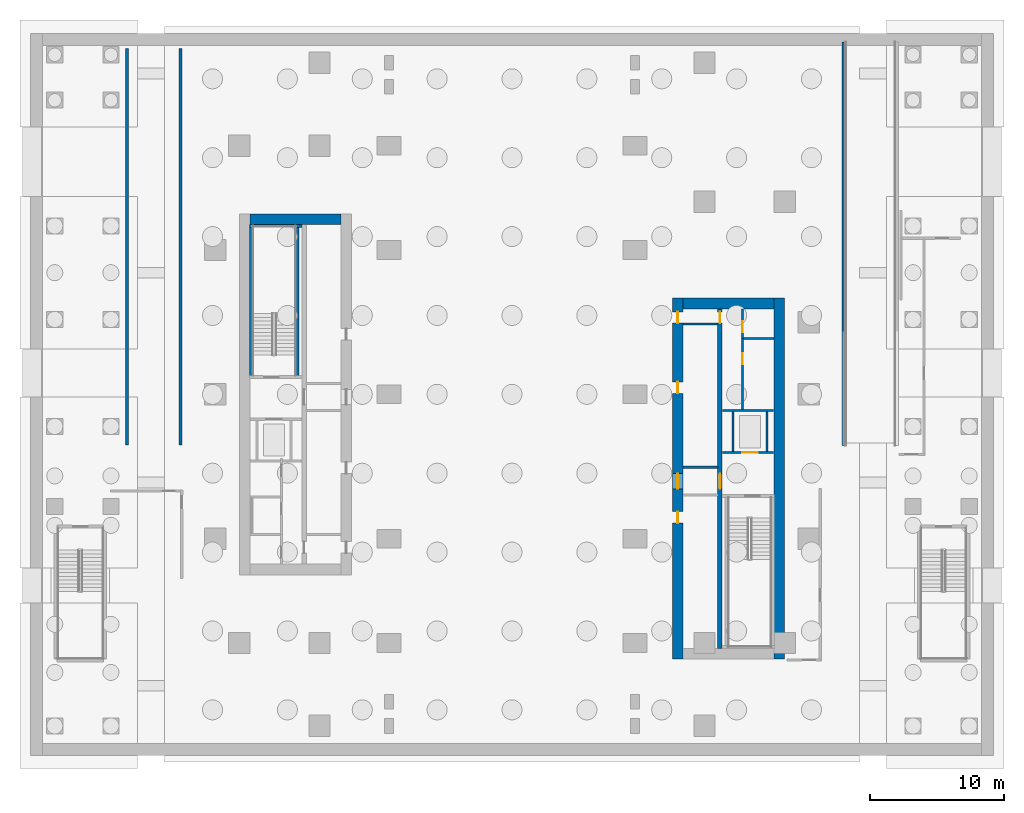
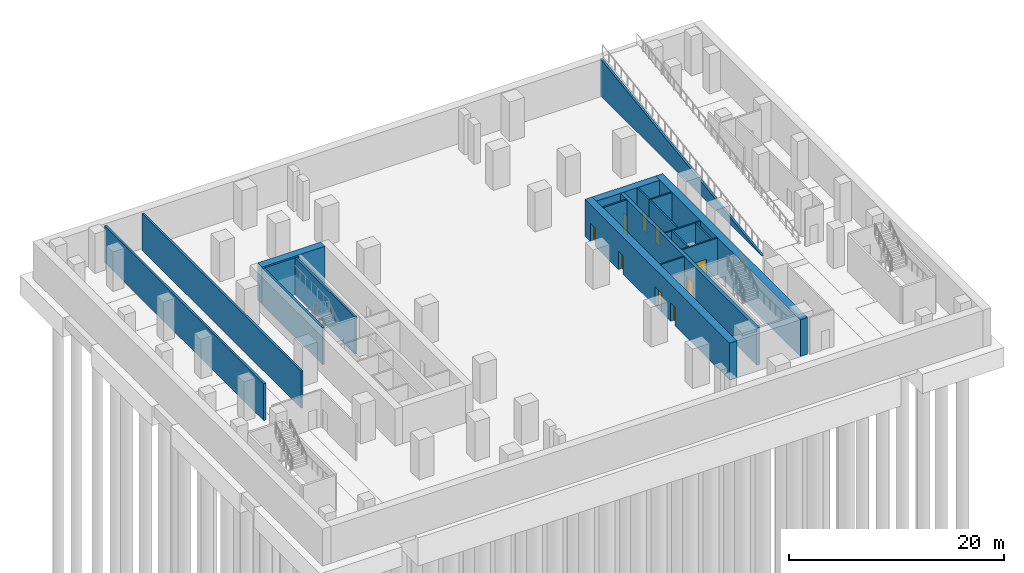
# One storey, part 5 of 15: 20 walls, 9 doors, 9 openings.
"""IFC4 building model written with IfcOpenShell, lengths in metres."""

from ifc_helpers import new_model, si_unit, direction, frame, frame_2d, origin, place, context, subcontext, project, spatial, polyline, rectangle, outline, extrude, material, layer, layer_set, type_object, element, fill, save


model = new_model("IFC4")

# Units and contexts
model_context = context("Model", 3, precision=1e-05, world=origin(), true_north=direction((0.0, 1.0)))
body_context = subcontext(model_context, "Body", "Model", "MODEL_VIEW")
ifc_project = project(units=[si_unit("LENGTHUNIT", "METRE"), si_unit("AREAUNIT", "SQUARE_METRE"), si_unit("VOLUMEUNIT", "CUBIC_METRE"), si_unit("PLANEANGLEUNIT", "RADIAN"), si_unit("MASSUNIT", "GRAM", prefix="KILO")], contexts=[model_context])

# Site, building, storey
site_placement = place(None, origin())
site = spatial("IfcSite", under=ifc_project, at=site_placement, CompositionType="ELEMENT")
building_placement = place(site_placement, origin())
building = spatial("IfcBuilding", under=site, at=building_placement, Name="Khairoan Windgate Tower", CompositionType="ELEMENT")
storey_placement = place(building_placement, frame((0.0, 0.0, -9.0)))
storey = spatial("IfcBuildingStorey", under=building, at=storey_placement, Name="B2", CompositionType="ELEMENT", Elevation=-9.0)

# Wall, opening, door
ifc_material_1 = material(Name="Concrete C40/50", Category="concrete")
ifc_layer_1 = layer(ifc_material_1, 0.159912109375, Name="Concrete C40/50")
ifc_layer_set_1 = layer_set([ifc_layer_1], Name="Concrete C40/50")
wall_type_1 = type_object("IfcWallType", Name="Core and Hoistway Enclosure Wall", PredefinedType="STANDARD", material=ifc_layer_set_1)
wall_1_placement = place(storey_placement, frame((15.75, -4.360107421875, 0.0), z_axis=(0.0, 0.0, 1.0), x_axis=(1.0, 0.0, 0.0)))
wall_1 = element("IfcWall", 1, at=wall_1_placement, inside=storey, type_object=wall_type_1, Name="B2 Core Shaft Wall SW-FL1-B2", PredefinedType="STANDARD", context=body_context, shape_type="SweptSolid", body=[
    extrude(rectangle(XDim=3.800048828125, YDim=0.159912109375, at=frame_2d((1.89990234375, 0.0))), origin(), (0.0, 0.0, 1.0), 4.199951171875),
])
opening_1_placement = place(wall_1_placement, frame((1.469970703125, 0.0, 0.0)))
opening_1 = element("IfcOpeningElement", 2, at=opening_1_placement, cuts=wall_1, Name="Opening LD-FL", PredefinedType="OPENING", context=body_context, shape_type="SweptSolid", body=[
    extrude(rectangle(XDim=1.14990234375, YDim=2.199951171875, at=frame_2d((0.574951171875, 1.10009765625))), frame((0.0, 0.08984375, 0.0), z_axis=(0.0, -1.0, 0.0), x_axis=(1.0, 0.0, 0.0)), (0.0, 0.0, 1.0), 0.179931640625),
])
ifc_material_2 = material(Name="Steel S355", Category="steel")
door_type_1 = type_object("IfcDoorType", Name="Firefighting Lift Sliding Landing Door LD-FL 1150x2200", OperationType="DOUBLE_DOOR_SLIDING", PredefinedType="DOOR", material=ifc_material_2)
door_1_placement = place(opening_1_placement, origin())
door_1 = element("IfcDoor", 3, at=door_1_placement, inside=storey, type_object=door_type_1, Name="B2 Firefighting Lift FL1 Landing Door", OperationType="DOUBLE_DOOR_SLIDING", OverallHeight=2.199951171875, OverallWidth=1.14990234375, PredefinedType="DOOR", context=body_context, shape_type="SweptSolid", body=[
    extrude(rectangle(XDim=1.14990234375, YDim=2.199951171875, at=frame_2d((0.574951171875, 1.10009765625))), frame((0.0, 0.02490234375, 0.0), z_axis=(0.0, -1.0, 0.0), x_axis=(1.0, 0.0, 0.0)), (0.0, 0.0, 1.0), 0.050048828125),
])
fill(opening_1, door_1)

# Walls
wall_2_placement = place(storey_placement, frame((15.75, -1.219970703125, 0.0), z_axis=(0.0, 0.0, 1.0), x_axis=(1.0, 0.0, 0.0)))
element("IfcWall", 4, at=wall_2_placement, inside=storey, type_object=wall_type_1, Name="B2 Core Shaft Wall SW-FL1T-B2", PredefinedType="STANDARD", context=body_context, shape_type="SweptSolid", body=[
    extrude(rectangle(XDim=3.800048828125, YDim=0.159912109375, at=frame_2d((1.89990234375, 0.0))), origin(), (0.0, 0.0, 1.0), 4.199951171875),
])
for number, where, z_axis, x_axis, name in (
    (5, (16.52001953125, -4.280029296875, 0.0), (0.0, 0.0, 1.0), (0.0, 1.0, 0.0), "B2 Core Shaft Wall SW-FL1W-B2"),
    (6, (19.080078125, -4.280029296875, 0.0), (0.0, 0.0, 1.0), (0.0, 1.0, 0.0), "B2 Core Shaft Wall SW-FL1E-B2"),
):
    element("IfcWall", number, at=place(storey_placement, frame(where, z_axis=z_axis, x_axis=x_axis)), inside=storey, type_object=wall_type_1, Name=name, PredefinedType="STANDARD", context=body_context, shape_type="SweptSolid", body=[
        extrude(rectangle(XDim=2.97998046875, YDim=0.159912109375, at=frame_2d((1.489990234375, 0.0))), origin(), (0.0, 0.0, 1.0), 4.199951171875),
    ])
for number, where, z_axis, x_axis, name in (
    (7, (12.800048828125, -5.449951171875, 0.0), (0.0, 0.0, 1.0), (1.0, 0.0, 0.0), "B2 Core Shaft Wall SW-EV1-B2"),
    (8, (12.800048828125, 5.25, 0.0), (0.0, 0.0, 1.0), (1.0, 0.0, 0.0), "B2 Core Shaft Wall SW-ESV-B2"),
):
    element("IfcWall", number, at=place(storey_placement, frame(where, z_axis=z_axis, x_axis=x_axis)), inside=storey, type_object=wall_type_1, Name=name, PredefinedType="STANDARD", context=body_context, shape_type="SweptSolid", body=[
        extrude(rectangle(XDim=2.599853515625, YDim=0.159912109375, at=frame_2d((1.2998046875, 0.0))), origin(), (0.0, 0.0, 1.0), 4.199951171875),
    ])

# Wall, opening, door
ifc_material_3 = material(Name="Concrete C40/50", Category="concrete")
ifc_layer_2 = layer(ifc_material_3, 0.159912109375, Name="Concrete C40/50")
ifc_layer_set_2 = layer_set([ifc_layer_2], Name="Concrete C40/50")
wall_type_2 = type_object("IfcWallType", Name="Plant and Refuge Compartment Wall", PredefinedType="PARTITIONING", material=ifc_layer_set_2)
wall_3_placement = place(storey_placement, frame((17.22998046875, 4.169921875, 0.0), z_axis=(0.0, 0.0, 1.0), x_axis=(0.0, 1.0, 0.0)))
wall_3 = element("IfcWall", 9, at=wall_3_placement, inside=storey, type_object=wall_type_2, Name="B2 Interior Partition 006", PredefinedType="PARTITIONING", context=body_context, shape_type="SweptSolid", body=[
    extrude(rectangle(XDim=2.22998046875, YDim=0.159912109375, at=frame_2d((1.114990234375, 0.0))), origin(), (0.0, 0.0, 1.0), 4.199951171875),
])
opening_2_placement = place(wall_3_placement, frame((0.4599609375, 0.0, 0.0)))
opening_2 = element("IfcOpeningElement", 10, at=opening_2_placement, cuts=wall_3, Name="Opening FD-SRV", PredefinedType="OPENING", context=body_context, shape_type="SweptSolid", body=[
    extrude(rectangle(XDim=0.85009765625, YDim=2.10009765625, at=frame_2d((0.425048828125, 1.050048828125))), frame((0.0, 0.08984375, 0.0), z_axis=(0.0, -1.0, 0.0), x_axis=(1.0, 0.0, 0.0)), (0.0, 0.0, 1.0), 0.179931640625),
])
ifc_material_4 = material(Name="Steel S355", Category="steel")
door_type_2 = type_object("IfcDoorType", Name="Core Service and Riser Fire Door FD-SRV 850x2100", OperationType="NOTDEFINED", PredefinedType="DOOR", material=ifc_material_4)
door_2_placement = place(opening_2_placement, origin())
door_2 = element("IfcDoor", 11, at=door_2_placement, inside=storey, type_object=door_type_2, Name="B2 B2-15-B2-16 Door", OperationType="SINGLE_SWING_RIGHT", OverallHeight=2.10009765625, OverallWidth=0.85009765625, PredefinedType="DOOR", context=body_context, shape_type="SweptSolid", body=[
    extrude(rectangle(XDim=0.85009765625, YDim=2.10009765625, at=frame_2d((0.425048828125, 1.050048828125))), frame((0.0, 0.02490234375, 0.0), z_axis=(0.0, -1.0, 0.0), x_axis=(1.0, 0.0, 0.0)), (0.0, 0.0, 1.0), 0.050048828125),
])
fill(opening_2, door_2)

wall_4_placement = place(storey_placement, frame((17.22998046875, -1.139892578125, 0.0), z_axis=(0.0, 0.0, 1.0), x_axis=(0.0, 1.0, 0.0)))
wall_4 = element("IfcWall", 12, at=wall_4_placement, inside=storey, type_object=wall_type_2, Name="B2 Interior Partition 007", PredefinedType="PARTITIONING", context=body_context, shape_type="SweptSolid", body=[
    extrude(rectangle(XDim=5.309814453125, YDim=0.159912109375, at=frame_2d((2.65478515625, 0.0))), origin(), (0.0, 0.0, 1.0), 4.199951171875),
])
opening_3_placement = place(wall_4_placement, frame((3.375244140625, 0.0, 0.0)))
opening_3 = element("IfcOpeningElement", 13, at=opening_3_placement, cuts=wall_4, Name="Opening FD-SRV", PredefinedType="OPENING", context=body_context, shape_type="SweptSolid", body=[
    extrude(rectangle(XDim=0.85009765625, YDim=2.10009765625, at=frame_2d((0.425048828125, 1.050048828125))), frame((0.0, 0.08984375, 0.0), z_axis=(0.0, -1.0, 0.0), x_axis=(1.0, 0.0, 0.0)), (0.0, 0.0, 1.0), 0.179931640625),
])
door_3_placement = place(opening_3_placement, origin())
door_3 = element("IfcDoor", 14, at=door_3_placement, inside=storey, type_object=door_type_2, Name="B2 B2-15-B2-17 Door", OperationType="SINGLE_SWING_LEFT", OverallHeight=2.10009765625, OverallWidth=0.85009765625, PredefinedType="DOOR", context=body_context, shape_type="SweptSolid", body=[
    extrude(rectangle(XDim=0.85009765625, YDim=2.10009765625, at=frame_2d((0.425048828125, 1.050048828125))), frame((0.0, 0.02490234375, 0.0), z_axis=(0.0, -1.0, 0.0), x_axis=(1.0, 0.0, 0.0)), (0.0, 0.0, 1.0), 0.050048828125),
])
fill(opening_3, door_3)

# Wall
wall_5_placement = place(storey_placement, frame((17.31005859375, 4.169921875, 0.0), z_axis=(0.0, 0.0, 1.0), x_axis=(1.0, 0.0, 0.0)))
element("IfcWall", 15, at=wall_5_placement, inside=storey, type_object=wall_type_2, Name="B2 Interior Partition 008", PredefinedType="PARTITIONING", context=body_context, shape_type="SweptSolid", body=[
    extrude(rectangle(XDim=2.2900390625, YDim=0.159912109375, at=frame_2d((1.14501953125, 0.0))), origin(), (0.0, 0.0, 1.0), 4.199951171875),
])

# Wall, openings, doors
ifc_material_5 = material(Name="Concrete C70/85", Category="concrete")
ifc_layer_3 = layer(ifc_material_5, 0.800048828125, Name="Concrete C70/85")
ifc_layer_set_3 = layer_set([ifc_layer_3], Name="Concrete C70/85")
wall_type_3 = type_object("IfcWallType", Name="Shear Wall CW-E1 800mm", PredefinedType="SHEAR", material=ifc_layer_set_3)
wall_6_placement = place(storey_placement, frame((12.39990234375, -19.800048828125, 0.0), z_axis=(0.0, 0.0, 1.0), x_axis=(0.0, 1.0, 0.0)))
wall_6 = element("IfcWall", 16, at=wall_6_placement, inside=storey, type_object=wall_type_3, Name="E Core West Shear Wall B2", PredefinedType="SHEAR", context=body_context, shape_type="SweptSolid", body=[
    extrude(rectangle(XDim=27.0, YDim=0.800048828125, at=frame_2d((13.5, 0.0))), origin(), (0.0, 0.0, 1.0), 4.199951171875),
])
opening_4_placement = place(wall_6_placement, frame((19.875, 0.0, 0.0)))
opening_4 = element("IfcOpeningElement", 17, at=opening_4_placement, cuts=wall_6, Name="Opening FD-SRV", PredefinedType="OPENING", context=body_context, shape_type="SweptSolid", body=[
    extrude(rectangle(XDim=0.85009765625, YDim=2.10009765625, at=frame_2d((0.425048828125, 1.050048828125))), frame((0.0, 0.409912109375, 0.0), z_axis=(0.0, -1.0, 0.0), x_axis=(1.0, 0.0, 0.0)), (0.0, 0.0, 1.0), 0.820068359375),
])
opening_5_placement = place(wall_6_placement, frame((10.175048828125, 0.0, 0.0)))
opening_5 = element("IfcOpeningElement", 18, at=opening_5_placement, cuts=wall_6, Name="Opening FD-SRV", PredefinedType="OPENING", context=body_context, shape_type="SweptSolid", body=[
    extrude(rectangle(XDim=0.85009765625, YDim=2.10009765625, at=frame_2d((0.425048828125, 1.050048828125))), frame((0.0, 0.409912109375, 0.0), z_axis=(0.0, -1.0, 0.0), x_axis=(1.0, 0.0, 0.0)), (0.0, 0.0, 1.0), 0.820068359375),
])
opening_6_placement = place(wall_6_placement, frame((12.72509765625, 0.0, 0.0)))
opening_6 = element("IfcOpeningElement", 19, at=opening_6_placement, cuts=wall_6, Name="Opening FD-FFL", PredefinedType="OPENING", context=body_context, shape_type="SweptSolid", body=[
    extrude(rectangle(XDim=1.14990234375, YDim=2.199951171875, at=frame_2d((0.574951171875, 1.10009765625))), frame((0.0, 0.409912109375, 0.0), z_axis=(0.0, -1.0, 0.0), x_axis=(1.0, 0.0, 0.0)), (0.0, 0.0, 1.0), 0.820068359375),
])
opening_7_placement = place(wall_6_placement, frame((25.125, 0.0, 0.0)))
opening_7 = element("IfcOpeningElement", 20, at=opening_7_placement, cuts=wall_6, Name="Opening FD-SRV", PredefinedType="OPENING", context=body_context, shape_type="SweptSolid", body=[
    extrude(rectangle(XDim=0.85009765625, YDim=2.10009765625, at=frame_2d((0.425048828125, 1.050048828125))), frame((0.0, 0.409912109375, 0.0), z_axis=(0.0, -1.0, 0.0), x_axis=(1.0, 0.0, 0.0)), (0.0, 0.0, 1.0), 0.820068359375),
])
door_4_placement = place(opening_4_placement, origin())
door_4 = element("IfcDoor", 21, at=door_4_placement, inside=storey, type_object=door_type_2, Name="B2 East Basement Fan Plant Door", OperationType="SINGLE_SWING_LEFT", OverallHeight=2.10009765625, OverallWidth=0.85009765625, PredefinedType="DOOR", context=body_context, shape_type="SweptSolid", body=[
    extrude(rectangle(XDim=0.85009765625, YDim=2.10009765625, at=frame_2d((0.425048828125, 1.050048828125))), frame((0.0, 0.02490234375, 0.0), z_axis=(0.0, -1.0, 0.0), x_axis=(1.0, 0.0, 0.0)), (0.0, 0.0, 1.0), 0.050048828125),
])
fill(opening_4, door_4)
door_5_placement = place(opening_5_placement, origin())
door_5 = element("IfcDoor", 22, at=door_5_placement, inside=storey, type_object=door_type_2, Name="B2 East Core Service Room Door 1", OperationType="SINGLE_SWING_RIGHT", OverallHeight=2.10009765625, OverallWidth=0.85009765625, PredefinedType="DOOR", context=body_context, shape_type="SweptSolid", body=[
    extrude(rectangle(XDim=0.85009765625, YDim=2.10009765625, at=frame_2d((0.425048828125, 1.050048828125))), frame((0.0, 0.02490234375, 0.0), z_axis=(0.0, -1.0, 0.0), x_axis=(1.0, 0.0, 0.0)), (0.0, 0.0, 1.0), 0.050048828125),
])
fill(opening_5, door_5)
door_6_placement = place(opening_7_placement, origin())
door_6 = element("IfcDoor", 23, at=door_6_placement, inside=storey, type_object=door_type_2, Name="B2 East Core Service Vestibule Outer Door", OperationType="SINGLE_SWING_LEFT", OverallHeight=2.10009765625, OverallWidth=0.85009765625, PredefinedType="DOOR", context=body_context, shape_type="SweptSolid", body=[
    extrude(rectangle(XDim=0.85009765625, YDim=2.10009765625, at=frame_2d((0.425048828125, 1.050048828125))), frame((0.0, 0.02490234375, 0.0), z_axis=(0.0, -1.0, 0.0), x_axis=(1.0, 0.0, 0.0)), (0.0, 0.0, 1.0), 0.050048828125),
])
fill(opening_7, door_6)
ifc_material_6 = material(Name="Steel S355", Category="steel")
door_type_3 = type_object("IfcDoorType", Name="Firefighting Lobby Fire Door FD-FFL 1150x2200", OperationType="NOTDEFINED", PredefinedType="DOOR", material=ifc_material_6)
door_7_placement = place(opening_6_placement, origin())
door_7 = element("IfcDoor", 24, at=door_7_placement, inside=storey, type_object=door_type_3, Name="B2 East Core Vestibule Entry Door", OperationType="SINGLE_SWING_LEFT", OverallHeight=2.199951171875, OverallWidth=1.14990234375, PredefinedType="DOOR", context=body_context, shape_type="SweptSolid", body=[
    extrude(rectangle(XDim=1.14990234375, YDim=2.199951171875, at=frame_2d((0.574951171875, 1.10009765625))), frame((0.0, 0.02490234375, 0.0), z_axis=(0.0, -1.0, 0.0), x_axis=(1.0, 0.0, 0.0)), (0.0, 0.0, 1.0), 0.050048828125),
])
fill(opening_6, door_7)

# Walls
wall_7_placement = place(storey_placement, frame((20.0, -19.800048828125, 0.0), z_axis=(0.0, 0.0, 1.0), x_axis=(0.0, 1.0, 0.0)))
element("IfcWall", 25, at=wall_7_placement, inside=storey, type_object=wall_type_3, Name="E Core East Shear Wall B2", PredefinedType="SHEAR", context=body_context, shape_type="SweptSolid", body=[
    extrude(rectangle(XDim=27.0, YDim=0.800048828125, at=frame_2d((13.5, 0.0))), origin(), (0.0, 0.0, 1.0), 4.199951171875),
])
wall_8_placement = place(storey_placement, frame((12.800048828125, 6.800048828125, 0.0), z_axis=(0.0, 0.0, 1.0), x_axis=(1.0, 0.0, 0.0)))
element("IfcWall", 26, at=wall_8_placement, inside=storey, type_object=wall_type_3, Name="E Core North Shear Wall B2", PredefinedType="SHEAR", context=body_context, shape_type="SweptSolid", body=[
    extrude(rectangle(XDim=6.800048828125, YDim=0.800048828125, at=frame_2d((3.39990234375, 0.0))), origin(), (0.0, 0.0, 1.0), 4.199951171875),
])
ifc_material_7 = material(Name="Concrete C70/85", Category="concrete")
ifc_layer_4 = layer(ifc_material_7, 0.800048828125, Name="Concrete C70/85")
ifc_layer_set_4 = layer_set([ifc_layer_4], Name="Concrete C70/85")
wall_type_4 = type_object("IfcWallType", Name="Shear Wall CW-W1 800mm", PredefinedType="SHEAR", material=ifc_layer_set_4)
wall_9_placement = place(storey_placement, frame((-19.60009765625, 13.10009765625, 0.0), z_axis=(0.0, 0.0, 1.0), x_axis=(1.0, 0.0, 0.0)))
element("IfcWall", 27, at=wall_9_placement, inside=storey, type_object=wall_type_4, Name="W Core North Shear Wall B2", PredefinedType="SHEAR", context=body_context, shape_type="SweptSolid", body=[
    extrude(rectangle(XDim=6.800048828125, YDim=0.800048828125, at=frame_2d((3.39990234375, 0.0))), origin(), (0.0, 0.0, 1.0), 4.199951171875),
])

# Wall, openings, doors
ifc_material_8 = material(Name="Concrete C60/75", Category="concrete")
ifc_layer_5 = layer(ifc_material_8, 0.35009765625, Name="Concrete C60/75")
ifc_layer_set_5 = layer_set([ifc_layer_5], Name="Concrete C60/75")
wall_type_5 = type_object("IfcWallType", Name="Shear Wall SW-1 350mm", PredefinedType="SHEAR", material=ifc_layer_set_5)
wall_10_placement = place(storey_placement, frame((15.550048828125, -19.0, 0.0), z_axis=(0.0, 0.0, 1.0), x_axis=(0.0, 1.0, 0.0)))
wall_10 = element("IfcWall", 28, at=wall_10_placement, inside=storey, type_object=wall_type_5, Name="E Core Spine Shear Wall B2", PredefinedType="SHEAR", context=body_context, shape_type="SweptSolid", body=[
    extrude(rectangle(XDim=25.39990234375, YDim=0.35009765625, at=frame_2d((12.699951171875, 0.0))), origin(), (0.0, 0.0, 1.0), 4.199951171875),
])
opening_8_placement = place(wall_10_placement, frame((11.925048828125, 0.0, 0.0)))
opening_8 = element("IfcOpeningElement", 29, at=opening_8_placement, cuts=wall_10, Name="Opening FD-FFL", PredefinedType="OPENING", context=body_context, shape_type="SweptSolid", body=[
    extrude(rectangle(XDim=1.14990234375, YDim=2.199951171875, at=frame_2d((0.574951171875, 1.10009765625))), frame((0.0, 0.18505859375, 0.0), z_axis=(0.0, -1.0, 0.0), x_axis=(1.0, 0.0, 0.0)), (0.0, 0.0, 1.0), 0.3701171875),
])
opening_9_placement = place(wall_10_placement, frame((24.324951171875, 0.0, 0.0)))
opening_9 = element("IfcOpeningElement", 30, at=opening_9_placement, cuts=wall_10, Name="Opening FD-SRV", PredefinedType="OPENING", context=body_context, shape_type="SweptSolid", body=[
    extrude(rectangle(XDim=0.85009765625, YDim=2.10009765625, at=frame_2d((0.425048828125, 1.050048828125))), frame((0.0, 0.18505859375, 0.0), z_axis=(0.0, -1.0, 0.0), x_axis=(1.0, 0.0, 0.0)), (0.0, 0.0, 1.0), 0.3701171875),
])
door_8_placement = place(opening_9_placement, origin())
door_8 = element("IfcDoor", 31, at=door_8_placement, inside=storey, type_object=door_type_2, Name="B2 East Core Service Passage Inner Door", OperationType="SINGLE_SWING_RIGHT", OverallHeight=2.10009765625, OverallWidth=0.85009765625, PredefinedType="DOOR", context=body_context, shape_type="SweptSolid", body=[
    extrude(rectangle(XDim=0.85009765625, YDim=2.10009765625, at=frame_2d((0.425048828125, 1.050048828125))), frame((0.0, 0.02490234375, 0.0), z_axis=(0.0, -1.0, 0.0), x_axis=(1.0, 0.0, 0.0)), (0.0, 0.0, 1.0), 0.050048828125),
])
fill(opening_9, door_8)
door_9_placement = place(opening_8_placement, origin())
door_9 = element("IfcDoor", 32, at=door_9_placement, inside=storey, type_object=door_type_3, Name="B2 East Firefighting Lobby Fire Door", OperationType="SINGLE_SWING_RIGHT", OverallHeight=2.199951171875, OverallWidth=1.14990234375, PredefinedType="DOOR", context=body_context, shape_type="SweptSolid", body=[
    extrude(rectangle(XDim=1.14990234375, YDim=2.199951171875, at=frame_2d((0.574951171875, 1.10009765625))), frame((0.0, 0.02490234375, 0.0), z_axis=(0.0, -1.0, 0.0), x_axis=(1.0, 0.0, 0.0)), (0.0, 0.0, 1.0), 0.050048828125),
])
fill(opening_8, door_9)

# Walls
ifc_material_9 = material(Name="Concrete C50/60", Category="concrete")
ifc_layer_6 = layer(ifc_material_9, 0.219970703125, Name="Concrete C50/60")
ifc_layer_set_6 = layer_set([ifc_layer_6], Name="Concrete C50/60")
wall_type_6 = type_object("IfcWallType", Name="Shear Wall SW-ST 220mm", PredefinedType="SHEAR", material=ifc_layer_set_6)
for number, where, z_axis, x_axis, name in (
    (33, (-16.0400390625, 1.2900390625, 0.0), (0.0, 0.0, 1.0), (0.0, 1.0, 0.0), "B2 Stair ST2 East Bearing Wall"),
    (34, (-19.530029296875, 1.2900390625, 0.0), (0.0, 0.0, 1.0), (0.0, 1.0, 0.0), "B2 Stair ST2 West Bearing Wall"),
):
    element("IfcWall", number, at=place(storey_placement, frame(where, z_axis=z_axis, x_axis=x_axis)), inside=storey, type_object=wall_type_6, Name=name, PredefinedType="SHEAR", context=body_context, shape_type="SweptSolid", body=[
        extrude(rectangle(XDim=11.300048828125, YDim=0.219970703125, at=frame_2d((5.64990234375, 0.0))), origin(), (0.0, 0.0, 1.0), 4.199951171875),
    ])
wall_11_placement = place(storey_placement, frame((-19.6201171875, 12.590087890625, 0.0), z_axis=(0.0, 0.0, 1.0), x_axis=(1.0, 0.0, 0.0)))
element("IfcWall", 35, at=wall_11_placement, inside=storey, type_object=wall_type_6, Name="B2 Stair ST2 North Bearing Wall", PredefinedType="SHEAR", context=body_context, shape_type="SweptSolid", body=[
    extrude(rectangle(XDim=3.9150390625, YDim=0.219970703125, at=frame_2d((1.95751953125, 0.0))), origin(), (0.0, 0.0, 1.0), 4.199951171875),
])
for number, where, z_axis, x_axis, name in (
    (36, (-28.81005859375, -3.800048828125, 0.0), (0.0, 0.0, 1.0), (0.0, 1.0, 0.0), "Vehicular Ramp R1 Sub-Base Bearing Wall (W)"),
    (37, (-24.7900390625, -3.800048828125, 0.0), (0.0, 0.0, 1.0), (0.0, 1.0, 0.0), "Vehicular Ramp R1 Sub-Base Bearing Wall (E)"),
):
    element("IfcWall", number, at=place(storey_placement, frame(where, z_axis=z_axis, x_axis=x_axis)), inside=storey, type_object=wall_type_6, Name=name, PredefinedType="SHEAR", context=body_context, shape_type="SweptSolid", body=[
        extrude(rectangle(XDim=29.66015625, YDim=0.219970703125, at=frame_2d((14.830078125, 0.0))), origin(), (0.0, 0.0, 1.0), 4.199951171875),
    ])
wall_12_placement = place(storey_placement, frame((24.7900390625, -3.840087890625, 0.0), z_axis=(0.0, 0.0, 1.0), x_axis=(0.0, 1.0, 0.0)))
element("IfcWall", 38, at=wall_12_placement, inside=storey, type_object=wall_type_6, Name="Car Park Vehicular Ramp R2 (B1 to B2) Structural Support Wall (W)", PredefinedType="SHEAR", context=body_context, shape_type="SweptSolid", body=[
    extrude(outline(polyline([(0.0, 0.0), (30.18017578125, 0.0), (30.179931640625, 4.199951171875), (0.0, 0.02001953125), (0.0, 0.0)])), frame((0.0, 0.10986328125, 0.0), z_axis=(0.0, -1.0, 0.0), x_axis=(1.0, 0.0, 0.0)), (0.0, 0.0, 1.0), 0.219970703125),
])

save(model, "model.ifc")
